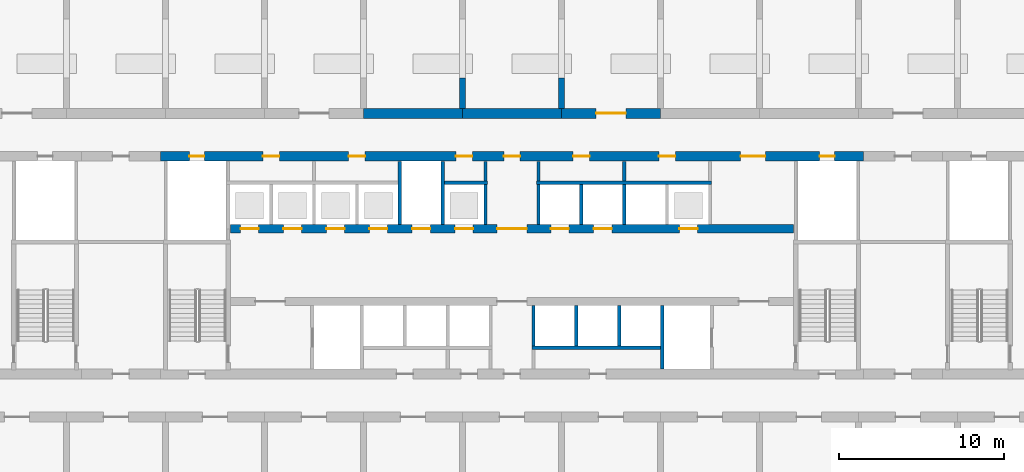
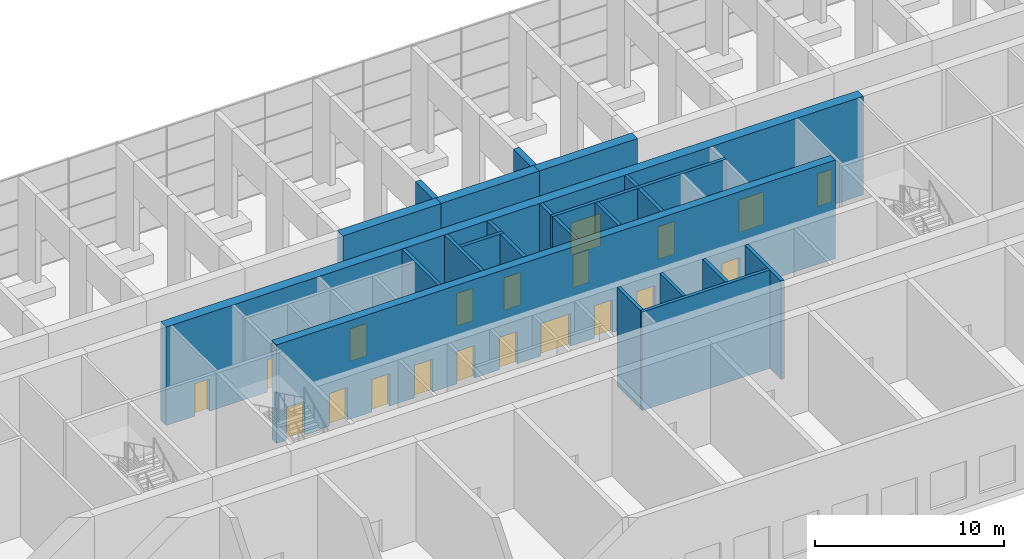
# One storey, part 10 of 16: 23 walls, 20 doors, 20 openings.
"""IFC4 building model written with IfcOpenShell, lengths in metres."""

from ifc_helpers import new_model, si_unit, direction, frame, frame_2d, origin, place, context, subcontext, project, spatial, rectangle, extrude, material, layer, layer_set, type_object, element, fill, save


model = new_model("IFC4")

# Units and contexts
model_context = context("Model", 3, precision=1e-05, world=origin(), true_north=direction((0.0, 1.0)))
body_context = subcontext(model_context, "Body", "Model", "MODEL_VIEW")
ifc_project = project(units=[si_unit("LENGTHUNIT", "METRE"), si_unit("AREAUNIT", "SQUARE_METRE"), si_unit("VOLUMEUNIT", "CUBIC_METRE"), si_unit("PLANEANGLEUNIT", "RADIAN"), si_unit("MASSUNIT", "GRAM", prefix="KILO")], contexts=[model_context])

# Site, building, storey
site_placement = place(None, origin())
site = spatial("IfcSite", under=ifc_project, at=site_placement, CompositionType="ELEMENT")
building_placement = place(site_placement, origin())
building = spatial("IfcBuilding", under=site, at=building_placement, Name="Poui Terraces", CompositionType="ELEMENT")
storey_placement = place(building_placement, frame((0.0, 0.0, 115.800048828125)))
storey = spatial("IfcBuildingStorey", under=building, at=storey_placement, Name="L32", CompositionType="ELEMENT", Elevation=115.800048828125)

# Walls
ifc_material_1 = material(Name="Concrete 65 MPa", Category="concrete")
ifc_layer_1 = layer(ifc_material_1, 0.60009765625)
ifc_layer_set_1 = layer_set([ifc_layer_1], Name="Concrete 65 MPa")
wall_type_1 = type_object("IfcWallType", Name="BELT WALL 600 65MPa", PredefinedType="SHEAR", material=ifc_layer_set_1)
for number, where, z_axis, x_axis, name in (
    (1, (42.0, 30.39990234375, 0.0), (0.0, 0.0, 1.0), (1.0, 0.0, 0.0), "BELT WALL LINE E BAY 6"),
    (2, (48.0, 30.39990234375, 0.0), (0.0, 0.0, 1.0), (1.0, 0.0, 0.0), "BELT WALL LINE E BAY 7"),
):
    element("IfcWall", number, at=place(storey_placement, frame(where, z_axis=z_axis, x_axis=x_axis)), inside=storey, type_object=wall_type_1, Name=name, PredefinedType="SHEAR", context=body_context, shape_type="SweptSolid", body=[
        extrude(rectangle(XDim=6.0, YDim=0.60009765625, at=frame_2d((3.0, 0.0))), origin(), (0.0, 0.0, 1.0), 6.369873046875),
    ])

# Wall, opening, door
wall_1_placement = place(storey_placement, frame((54.0, 30.39990234375, 0.0), z_axis=(0.0, 0.0, 1.0), x_axis=(1.0, 0.0, 0.0)))
wall_1 = element("IfcWall", 3, at=wall_1_placement, inside=storey, type_object=wall_type_1, Name="BELT WALL LINE E BAY 8", PredefinedType="SHEAR", context=body_context, shape_type="SweptSolid", body=[
    extrude(rectangle(XDim=6.0, YDim=0.60009765625, at=frame_2d((3.0, 0.0))), origin(), (0.0, 0.0, 1.0), 6.369873046875),
])
opening_1_placement = place(wall_1_placement, frame((2.10009765625, 0.0, 0.0)))
opening_1 = element("IfcOpeningElement", 4, at=opening_1_placement, cuts=wall_1, Name="Opening DD180", PredefinedType="OPENING", context=body_context, shape_type="SweptSolid", body=[
    extrude(rectangle(XDim=1.800048828125, YDim=2.10009765625, at=frame_2d((0.89990234375, 1.050048828125))), frame((0.0, 0.31005859375, 0.0), z_axis=(0.0, -1.0, 0.0), x_axis=(1.0, 0.0, 0.0)), (0.0, 0.0, 1.0), 0.6201171875),
])
ifc_material_2 = material(Name="Steel fire door", Category="steel")
door_type_1 = type_object("IfcDoorType", Name="DOUBLE INTERNAL DOOR 1800 X 2100", OperationType="DOUBLE_DOOR_SINGLE_SWING", PredefinedType="DOOR", material=ifc_material_2)
door_1_placement = place(opening_1_placement, frame((1.800048828125, 0.0, 0.0), z_axis=(0.0, 0.0, 1.0), x_axis=(-1.0, 0.0, 0.0)))
door_1 = element("IfcDoor", 5, at=door_1_placement, inside=storey, type_object=door_type_1, Name="DOUBLE INTERNAL DOOR 013", OperationType="DOUBLE_DOOR_SINGLE_SWING", OverallHeight=2.10009765625, OverallWidth=1.800048828125, PredefinedType="DOOR", context=body_context, shape_type="SweptSolid", body=[
    extrude(rectangle(XDim=1.800048828125, YDim=2.10009765625, at=frame_2d((0.89990234375, 1.050048828125))), frame((0.0, 0.02490234375, 0.0), z_axis=(0.0, -1.0, 0.0), x_axis=(1.0, 0.0, 0.0)), (0.0, 0.0, 1.0), 0.050048828125),
])
fill(opening_1, door_1)

# Wall, openings, doors
ifc_layer_2 = layer(ifc_material_1, 0.5)
ifc_layer_set_2 = layer_set([ifc_layer_2], Name="Concrete 65 MPa")
wall_type_2 = type_object("IfcWallType", Name="CORE WALL 500 65 MPA", PredefinedType="SOLIDWALL", material=ifc_layer_set_2)
wall_2_placement = place(storey_placement, frame((33.925048828125, 23.39990234375, 0.0), z_axis=(0.0, 0.0, 1.0), x_axis=(1.0, 0.0, 0.0)))
wall_2 = element("IfcWall", 6, at=wall_2_placement, inside=storey, type_object=wall_type_2, Name="CORE WALL", PredefinedType="SOLIDWALL", context=body_context, shape_type="SweptSolid", body=[
    extrude(rectangle(XDim=34.14990234375, YDim=0.5, at=frame_2d((17.074951171875, 0.0))), origin(), (0.0, 0.0, 1.0), 6.369873046875),
])
opening_2_placement = place(wall_2_placement, frame((16.175048828125, 0.0, 0.0)))
opening_2 = element("IfcOpeningElement", 7, at=opening_2_placement, cuts=wall_2, Name="Opening FDD60", PredefinedType="OPENING", context=body_context, shape_type="SweptSolid", body=[
    extrude(rectangle(XDim=1.800048828125, YDim=2.10009765625, at=frame_2d((0.89990234375, 1.050048828125))), frame((0.0, 0.260009765625, 0.0), z_axis=(0.0, -1.0, 0.0), x_axis=(1.0, 0.0, 0.0)), (0.0, 0.0, 1.0), 0.52001953125),
])
opening_3_placement = place(wall_2_placement, frame((0.625, 0.0, 0.0)))
opening_3 = element("IfcOpeningElement", 8, at=opening_3_placement, cuts=wall_2, Name="Opening LD", PredefinedType="OPENING", context=body_context, shape_type="SweptSolid", body=[
    extrude(rectangle(XDim=1.10009765625, YDim=2.10009765625, at=frame_2d((0.550048828125, 1.050048828125))), frame((0.0, 0.260009765625, 0.0), z_axis=(0.0, -1.0, 0.0), x_axis=(1.0, 0.0, 0.0)), (0.0, 0.0, 1.0), 0.52001953125),
])
opening_4_placement = place(wall_2_placement, frame((3.22509765625, 0.0, 0.0)))
opening_4 = element("IfcOpeningElement", 9, at=opening_4_placement, cuts=wall_2, Name="Opening LD", PredefinedType="OPENING", context=body_context, shape_type="SweptSolid", body=[
    extrude(rectangle(XDim=1.10009765625, YDim=2.10009765625, at=frame_2d((0.550048828125, 1.050048828125))), frame((0.0, 0.260009765625, 0.0), z_axis=(0.0, -1.0, 0.0), x_axis=(1.0, 0.0, 0.0)), (0.0, 0.0, 1.0), 0.52001953125),
])
opening_5_placement = place(wall_2_placement, frame((5.824951171875, 0.0, 0.0)))
opening_5 = element("IfcOpeningElement", 10, at=opening_5_placement, cuts=wall_2, Name="Opening LD", PredefinedType="OPENING", context=body_context, shape_type="SweptSolid", body=[
    extrude(rectangle(XDim=1.10009765625, YDim=2.10009765625, at=frame_2d((0.550048828125, 1.050048828125))), frame((0.0, 0.260009765625, 0.0), z_axis=(0.0, -1.0, 0.0), x_axis=(1.0, 0.0, 0.0)), (0.0, 0.0, 1.0), 0.52001953125),
])
opening_6_placement = place(wall_2_placement, frame((8.425048828125, 0.0, 0.0)))
opening_6 = element("IfcOpeningElement", 11, at=opening_6_placement, cuts=wall_2, Name="Opening LD", PredefinedType="OPENING", context=body_context, shape_type="SweptSolid", body=[
    extrude(rectangle(XDim=1.10009765625, YDim=2.10009765625, at=frame_2d((0.550048828125, 1.050048828125))), frame((0.0, 0.260009765625, 0.0), z_axis=(0.0, -1.0, 0.0), x_axis=(1.0, 0.0, 0.0)), (0.0, 0.0, 1.0), 0.52001953125),
])
opening_7_placement = place(wall_2_placement, frame((11.02490234375, 0.0, 0.0)))
opening_7 = element("IfcOpeningElement", 12, at=opening_7_placement, cuts=wall_2, Name="Opening LD", PredefinedType="OPENING", context=body_context, shape_type="SweptSolid", body=[
    extrude(rectangle(XDim=1.10009765625, YDim=2.10009765625, at=frame_2d((0.550048828125, 1.050048828125))), frame((0.0, 0.260009765625, 0.0), z_axis=(0.0, -1.0, 0.0), x_axis=(1.0, 0.0, 0.0)), (0.0, 0.0, 1.0), 0.52001953125),
])
opening_8_placement = place(wall_2_placement, frame((13.625, 0.0, 0.0)))
opening_8 = element("IfcOpeningElement", 13, at=opening_8_placement, cuts=wall_2, Name="Opening LD", PredefinedType="OPENING", context=body_context, shape_type="SweptSolid", body=[
    extrude(rectangle(XDim=1.10009765625, YDim=2.10009765625, at=frame_2d((0.550048828125, 1.050048828125))), frame((0.0, 0.260009765625, 0.0), z_axis=(0.0, -1.0, 0.0), x_axis=(1.0, 0.0, 0.0)), (0.0, 0.0, 1.0), 0.52001953125),
])
opening_9_placement = place(wall_2_placement, frame((19.425048828125, 0.0, 0.0)))
opening_9 = element("IfcOpeningElement", 14, at=opening_9_placement, cuts=wall_2, Name="Opening LD", PredefinedType="OPENING", context=body_context, shape_type="SweptSolid", body=[
    extrude(rectangle(XDim=1.10009765625, YDim=2.10009765625, at=frame_2d((0.550048828125, 1.050048828125))), frame((0.0, 0.260009765625, 0.0), z_axis=(0.0, -1.0, 0.0), x_axis=(1.0, 0.0, 0.0)), (0.0, 0.0, 1.0), 0.52001953125),
])
opening_10_placement = place(wall_2_placement, frame((22.02490234375, 0.0, 0.0)))
opening_10 = element("IfcOpeningElement", 15, at=opening_10_placement, cuts=wall_2, Name="Opening LD", PredefinedType="OPENING", context=body_context, shape_type="SweptSolid", body=[
    extrude(rectangle(XDim=1.10009765625, YDim=2.10009765625, at=frame_2d((0.550048828125, 1.050048828125))), frame((0.0, 0.260009765625, 0.0), z_axis=(0.0, -1.0, 0.0), x_axis=(1.0, 0.0, 0.0)), (0.0, 0.0, 1.0), 0.52001953125),
])
opening_11_placement = place(wall_2_placement, frame((27.22509765625, 0.0, 0.0)))
opening_11 = element("IfcOpeningElement", 16, at=opening_11_placement, cuts=wall_2, Name="Opening LD", PredefinedType="OPENING", context=body_context, shape_type="SweptSolid", body=[
    extrude(rectangle(XDim=1.10009765625, YDim=2.10009765625, at=frame_2d((0.550048828125, 1.050048828125))), frame((0.0, 0.260009765625, 0.0), z_axis=(0.0, -1.0, 0.0), x_axis=(1.0, 0.0, 0.0)), (0.0, 0.0, 1.0), 0.52001953125),
])
door_type_2 = type_object("IfcDoorType", Name="DOUBLE LOBBY FIRE DOOR 1800 X 2100", OperationType="DOUBLE_DOOR_SINGLE_SWING", PredefinedType="DOOR", material=ifc_material_2)
door_2_placement = place(opening_2_placement, origin())
door_2 = element("IfcDoor", 17, at=door_2_placement, inside=storey, type_object=door_type_2, Name="DOUBLE LOBBY FIRE DOOR 049", OperationType="DOUBLE_DOOR_SINGLE_SWING", OverallHeight=2.10009765625, OverallWidth=1.800048828125, PredefinedType="DOOR", context=body_context, shape_type="SweptSolid", body=[
    extrude(rectangle(XDim=1.800048828125, YDim=2.10009765625, at=frame_2d((0.89990234375, 1.050048828125))), frame((0.0, 0.02490234375, 0.0), z_axis=(0.0, -1.0, 0.0), x_axis=(1.0, 0.0, 0.0)), (0.0, 0.0, 1.0), 0.050048828125),
])
fill(opening_2, door_2)
ifc_material_3 = material(Name="Stainless steel sliding door", Category="steel")
door_type_3 = type_object("IfcDoorType", Name="LIFT LANDING DOOR 1100 X 2100", OperationType="DOUBLE_DOOR_SLIDING", PredefinedType="DOOR", material=ifc_material_3)
door_3_placement = place(opening_3_placement, origin())
door_3 = element("IfcDoor", 18, at=door_3_placement, inside=storey, type_object=door_type_3, Name="LANDING DOOR", OperationType="DOUBLE_DOOR_SLIDING", OverallHeight=2.10009765625, OverallWidth=1.10009765625, PredefinedType="DOOR", context=body_context, shape_type="SweptSolid", body=[
    extrude(rectangle(XDim=1.10009765625, YDim=2.10009765625, at=frame_2d((0.550048828125, 1.050048828125))), frame((0.0, 0.02490234375, 0.0), z_axis=(0.0, -1.0, 0.0), x_axis=(1.0, 0.0, 0.0)), (0.0, 0.0, 1.0), 0.050048828125),
])
fill(opening_3, door_3)
door_4_placement = place(opening_4_placement, origin())
door_4 = element("IfcDoor", 19, at=door_4_placement, inside=storey, type_object=door_type_3, Name="LANDING DOOR", OperationType="DOUBLE_DOOR_SLIDING", OverallHeight=2.10009765625, OverallWidth=1.10009765625, PredefinedType="DOOR", context=body_context, shape_type="SweptSolid", body=[
    extrude(rectangle(XDim=1.10009765625, YDim=2.10009765625, at=frame_2d((0.550048828125, 1.050048828125))), frame((0.0, 0.02490234375, 0.0), z_axis=(0.0, -1.0, 0.0), x_axis=(1.0, 0.0, 0.0)), (0.0, 0.0, 1.0), 0.050048828125),
])
fill(opening_4, door_4)
door_5_placement = place(opening_5_placement, origin())
door_5 = element("IfcDoor", 20, at=door_5_placement, inside=storey, type_object=door_type_3, Name="LANDING DOOR", OperationType="DOUBLE_DOOR_SLIDING", OverallHeight=2.10009765625, OverallWidth=1.10009765625, PredefinedType="DOOR", context=body_context, shape_type="SweptSolid", body=[
    extrude(rectangle(XDim=1.10009765625, YDim=2.10009765625, at=frame_2d((0.550048828125, 1.050048828125))), frame((0.0, 0.02490234375, 0.0), z_axis=(0.0, -1.0, 0.0), x_axis=(1.0, 0.0, 0.0)), (0.0, 0.0, 1.0), 0.050048828125),
])
fill(opening_5, door_5)
door_6_placement = place(opening_6_placement, origin())
door_6 = element("IfcDoor", 21, at=door_6_placement, inside=storey, type_object=door_type_3, Name="LANDING DOOR", OperationType="DOUBLE_DOOR_SLIDING", OverallHeight=2.10009765625, OverallWidth=1.10009765625, PredefinedType="DOOR", context=body_context, shape_type="SweptSolid", body=[
    extrude(rectangle(XDim=1.10009765625, YDim=2.10009765625, at=frame_2d((0.550048828125, 1.050048828125))), frame((0.0, 0.02490234375, 0.0), z_axis=(0.0, -1.0, 0.0), x_axis=(1.0, 0.0, 0.0)), (0.0, 0.0, 1.0), 0.050048828125),
])
fill(opening_6, door_6)
door_7_placement = place(opening_7_placement, origin())
door_7 = element("IfcDoor", 22, at=door_7_placement, inside=storey, type_object=door_type_3, Name="LANDING DOOR", OperationType="DOUBLE_DOOR_SLIDING", OverallHeight=2.10009765625, OverallWidth=1.10009765625, PredefinedType="DOOR", context=body_context, shape_type="SweptSolid", body=[
    extrude(rectangle(XDim=1.10009765625, YDim=2.10009765625, at=frame_2d((0.550048828125, 1.050048828125))), frame((0.0, 0.02490234375, 0.0), z_axis=(0.0, -1.0, 0.0), x_axis=(1.0, 0.0, 0.0)), (0.0, 0.0, 1.0), 0.050048828125),
])
fill(opening_7, door_7)
door_8_placement = place(opening_8_placement, origin())
door_8 = element("IfcDoor", 23, at=door_8_placement, inside=storey, type_object=door_type_3, Name="LANDING DOOR", OperationType="DOUBLE_DOOR_SLIDING", OverallHeight=2.10009765625, OverallWidth=1.10009765625, PredefinedType="DOOR", context=body_context, shape_type="SweptSolid", body=[
    extrude(rectangle(XDim=1.10009765625, YDim=2.10009765625, at=frame_2d((0.550048828125, 1.050048828125))), frame((0.0, 0.02490234375, 0.0), z_axis=(0.0, -1.0, 0.0), x_axis=(1.0, 0.0, 0.0)), (0.0, 0.0, 1.0), 0.050048828125),
])
fill(opening_8, door_8)
door_9_placement = place(opening_9_placement, origin())
door_9 = element("IfcDoor", 24, at=door_9_placement, inside=storey, type_object=door_type_3, Name="LANDING DOOR", OperationType="DOUBLE_DOOR_SLIDING", OverallHeight=2.10009765625, OverallWidth=1.10009765625, PredefinedType="DOOR", context=body_context, shape_type="SweptSolid", body=[
    extrude(rectangle(XDim=1.10009765625, YDim=2.10009765625, at=frame_2d((0.550048828125, 1.050048828125))), frame((0.0, 0.02490234375, 0.0), z_axis=(0.0, -1.0, 0.0), x_axis=(1.0, 0.0, 0.0)), (0.0, 0.0, 1.0), 0.050048828125),
])
fill(opening_9, door_9)
door_10_placement = place(opening_10_placement, origin())
door_10 = element("IfcDoor", 25, at=door_10_placement, inside=storey, type_object=door_type_3, Name="LANDING DOOR", OperationType="DOUBLE_DOOR_SLIDING", OverallHeight=2.10009765625, OverallWidth=1.10009765625, PredefinedType="DOOR", context=body_context, shape_type="SweptSolid", body=[
    extrude(rectangle(XDim=1.10009765625, YDim=2.10009765625, at=frame_2d((0.550048828125, 1.050048828125))), frame((0.0, 0.02490234375, 0.0), z_axis=(0.0, -1.0, 0.0), x_axis=(1.0, 0.0, 0.0)), (0.0, 0.0, 1.0), 0.050048828125),
])
fill(opening_10, door_10)
door_11_placement = place(opening_11_placement, origin())
door_11 = element("IfcDoor", 26, at=door_11_placement, inside=storey, type_object=door_type_3, Name="LANDING DOOR", OperationType="DOUBLE_DOOR_SLIDING", OverallHeight=2.10009765625, OverallWidth=1.10009765625, PredefinedType="DOOR", context=body_context, shape_type="SweptSolid", body=[
    extrude(rectangle(XDim=1.10009765625, YDim=2.10009765625, at=frame_2d((0.550048828125, 1.050048828125))), frame((0.0, 0.02490234375, 0.0), z_axis=(0.0, -1.0, 0.0), x_axis=(1.0, 0.0, 0.0)), (0.0, 0.0, 1.0), 0.050048828125),
])
fill(opening_11, door_11)

# Walls
ifc_layer_3 = layer(ifc_material_1, 0.35009765625)
ifc_layer_set_3 = layer_set([ifc_layer_3], Name="Concrete 65 MPa")
wall_type_3 = type_object("IfcWallType", Name="PIERCED CROSS WALL 350 65MPa", PredefinedType="SHEAR", material=ifc_layer_set_3)
for number, where, z_axis, x_axis, name in (
    (27, (48.0, 30.699951171875, 0.0), (0.0, 0.0, 1.0), (0.0, 1.0, 0.0), "PIER LINE 9 1"),
    (28, (54.0, 30.699951171875, 0.0), (0.0, 0.0, 1.0), (0.0, 1.0, 0.0), "PIER LINE 10 1"),
):
    element("IfcWall", number, at=place(storey_placement, frame(where, z_axis=z_axis, x_axis=x_axis)), inside=storey, type_object=wall_type_3, Name=name, PredefinedType="SHEAR", context=body_context, shape_type="SweptSolid", body=[
        extrude(rectangle(XDim=1.833251953125, YDim=0.35009765625, at=frame_2d((0.91650390625, 0.0))), origin(), (0.0, 0.0, 1.0), 6.369873046875),
    ])
ifc_material_4 = material(Name="Fire-rated masonry wall", Category="masonry")
ifc_layer_4 = layer(ifc_material_4, 0.199951171875)
ifc_layer_set_4 = layer_set([ifc_layer_4], Name="Fire-rated masonry wall")
wall_type_4 = type_object("IfcWallType", Name="PLANT ROOM WALL 200", PredefinedType="PARTITIONING", material=ifc_layer_set_4)
for number, where, z_axis, x_axis, name in (
    (29, (49.39990234375, 26.300048828125, 0.0), (0.0, 0.0, 1.0), (0.0, 1.0, 0.0), "PLANT ROOM WALL 200"),
    (30, (52.60009765625, 26.300048828125, 0.0), (0.0, 0.0, 1.0), (0.0, 1.0, 0.0), "PLANT ROOM WALL 200"),
    (31, (57.800048828125, 26.300048828125, 0.0), (0.0, 0.0, 1.0), (0.0, 1.0, 0.0), "PLANT ROOM WALL 200"),
):
    element("IfcWall", number, at=place(storey_placement, frame(where, z_axis=z_axis, x_axis=x_axis)), inside=storey, type_object=wall_type_4, Name=name, PredefinedType="PARTITIONING", context=body_context, shape_type="SweptSolid", body=[
        extrude(rectangle(XDim=1.18994140625, YDim=0.199951171875, at=frame_2d((0.594970703125, 0.0))), origin(), (0.0, 0.0, 1.0), 6.369873046875),
    ])
ifc_material_5 = material(Name="Fire-rated masonry shaft wall", Category="masonry")
ifc_layer_5 = layer(ifc_material_5, 0.199951171875)
ifc_layer_set_5 = layer_set([ifc_layer_5], Name="Fire-rated masonry shaft wall")
wall_type_5 = type_object("IfcWallType", Name="SHAFT WALL 200", PredefinedType="PARTITIONING", material=ifc_layer_set_5)
wall_3_placement = place(storey_placement, frame((52.199951171875, 16.199951171875, 0.0), z_axis=(0.0, 0.0, 1.0), x_axis=(1.0, 0.0, 0.0)))
element("IfcWall", 32, at=wall_3_placement, inside=storey, type_object=wall_type_5, Name="SHAFT WALL 200", PredefinedType="PARTITIONING", context=body_context, shape_type="SweptSolid", body=[
    extrude(rectangle(XDim=7.800048828125, YDim=0.199951171875, at=frame_2d((3.89990234375, 0.0))), origin(), (0.0, 0.0, 1.0), 6.369873046875),
])
wall_4_placement = place(storey_placement, frame((46.89990234375, 26.199951171875, 0.0), z_axis=(0.0, 0.0, 1.0), x_axis=(1.0, 0.0, 0.0)))
element("IfcWall", 33, at=wall_4_placement, inside=storey, type_object=wall_type_5, Name="SHAFT WALL 200", PredefinedType="PARTITIONING", context=body_context, shape_type="SweptSolid", body=[
    extrude(rectangle(XDim=2.60009765625, YDim=0.199951171875, at=frame_2d((1.300048828125, 0.0))), origin(), (0.0, 0.0, 1.0), 6.369873046875),
])
wall_5_placement = place(storey_placement, frame((52.5, 26.199951171875, 0.0), z_axis=(0.0, 0.0, 1.0), x_axis=(1.0, 0.0, 0.0)))
element("IfcWall", 34, at=wall_5_placement, inside=storey, type_object=wall_type_5, Name="SHAFT WALL 200", PredefinedType="PARTITIONING", context=body_context, shape_type="SweptSolid", body=[
    extrude(rectangle(XDim=10.60009765625, YDim=0.199951171875, at=frame_2d((5.300048828125, 0.0))), origin(), (0.0, 0.0, 1.0), 6.369873046875),
])
for number, where, z_axis, x_axis, name in (
    (35, (44.199951171875, 23.659912109375, 0.0), (0.0, 0.0, 1.0), (0.0, 1.0, 0.0), "SHAFT WALL 200"),
    (36, (46.800048828125, 23.659912109375, 0.0), (0.0, 0.0, 1.0), (0.0, 1.0, 0.0), "SHAFT WALL 200"),
):
    element("IfcWall", number, at=place(storey_placement, frame(where, z_axis=z_axis, x_axis=x_axis)), inside=storey, type_object=wall_type_5, Name=name, PredefinedType="PARTITIONING", context=body_context, shape_type="SweptSolid", body=[
        extrude(rectangle(XDim=3.830078125, YDim=0.199951171875, at=frame_2d((1.9150390625, 0.0))), origin(), (0.0, 0.0, 1.0), 6.369873046875),
    ])
wall_6_placement = place(storey_placement, frame((49.39990234375, 23.659912109375, 0.0), z_axis=(0.0, 0.0, 1.0), x_axis=(0.0, 1.0, 0.0)))
element("IfcWall", 37, at=wall_6_placement, inside=storey, type_object=wall_type_5, Name="SHAFT WALL 200", PredefinedType="PARTITIONING", context=body_context, shape_type="SweptSolid", body=[
    extrude(rectangle(XDim=2.440185546875, YDim=0.199951171875, at=frame_2d((1.22021484375, 0.0))), origin(), (0.0, 0.0, 1.0), 6.369873046875),
])
wall_7_placement = place(storey_placement, frame((52.300048828125, 16.300048828125, 0.0), z_axis=(0.0, 0.0, 1.0), x_axis=(0.0, 1.0, 0.0)))
element("IfcWall", 38, at=wall_7_placement, inside=storey, type_object=wall_type_5, Name="SHAFT WALL 200", PredefinedType="PARTITIONING", context=body_context, shape_type="SweptSolid", body=[
    extrude(rectangle(XDim=2.43994140625, YDim=0.199951171875, at=frame_2d((1.219970703125, 0.0))), origin(), (0.0, 0.0, 1.0), 6.369873046875),
])
wall_8_placement = place(storey_placement, frame((52.60009765625, 23.659912109375, 0.0), z_axis=(0.0, 0.0, 1.0), x_axis=(0.0, 1.0, 0.0)))
element("IfcWall", 39, at=wall_8_placement, inside=storey, type_object=wall_type_5, Name="SHAFT WALL 200", PredefinedType="PARTITIONING", context=body_context, shape_type="SweptSolid", body=[
    extrude(rectangle(XDim=2.440185546875, YDim=0.199951171875, at=frame_2d((1.22021484375, 0.0))), origin(), (0.0, 0.0, 1.0), 6.369873046875),
])
wall_9_placement = place(storey_placement, frame((54.89990234375, 16.300048828125, 0.0), z_axis=(0.0, 0.0, 1.0), x_axis=(0.0, 1.0, 0.0)))
element("IfcWall", 40, at=wall_9_placement, inside=storey, type_object=wall_type_5, Name="SHAFT WALL 200", PredefinedType="PARTITIONING", context=body_context, shape_type="SweptSolid", body=[
    extrude(rectangle(XDim=2.43994140625, YDim=0.199951171875, at=frame_2d((1.219970703125, 0.0))), origin(), (0.0, 0.0, 1.0), 6.369873046875),
])
wall_10_placement = place(storey_placement, frame((55.199951171875, 23.659912109375, 0.0), z_axis=(0.0, 0.0, 1.0), x_axis=(0.0, 1.0, 0.0)))
element("IfcWall", 41, at=wall_10_placement, inside=storey, type_object=wall_type_5, Name="SHAFT WALL 200", PredefinedType="PARTITIONING", context=body_context, shape_type="SweptSolid", body=[
    extrude(rectangle(XDim=2.440185546875, YDim=0.199951171875, at=frame_2d((1.22021484375, 0.0))), origin(), (0.0, 0.0, 1.0), 6.369873046875),
])
wall_11_placement = place(storey_placement, frame((57.5, 16.300048828125, 0.0), z_axis=(0.0, 0.0, 1.0), x_axis=(0.0, 1.0, 0.0)))
element("IfcWall", 42, at=wall_11_placement, inside=storey, type_object=wall_type_5, Name="SHAFT WALL 200", PredefinedType="PARTITIONING", context=body_context, shape_type="SweptSolid", body=[
    extrude(rectangle(XDim=2.43994140625, YDim=0.199951171875, at=frame_2d((1.219970703125, 0.0))), origin(), (0.0, 0.0, 1.0), 6.369873046875),
])
wall_12_placement = place(storey_placement, frame((57.800048828125, 23.659912109375, 0.0), z_axis=(0.0, 0.0, 1.0), x_axis=(0.0, 1.0, 0.0)))
element("IfcWall", 43, at=wall_12_placement, inside=storey, type_object=wall_type_5, Name="SHAFT WALL 200", PredefinedType="PARTITIONING", context=body_context, shape_type="SweptSolid", body=[
    extrude(rectangle(XDim=2.440185546875, YDim=0.199951171875, at=frame_2d((1.22021484375, 0.0))), origin(), (0.0, 0.0, 1.0), 6.369873046875),
])
wall_13_placement = place(storey_placement, frame((60.10009765625, 14.909912109375, 0.0), z_axis=(0.0, 0.0, 1.0), x_axis=(0.0, 1.0, 0.0)))
element("IfcWall", 44, at=wall_13_placement, inside=storey, type_object=wall_type_5, Name="SHAFT WALL 200", PredefinedType="PARTITIONING", context=body_context, shape_type="SweptSolid", body=[
    extrude(rectangle(XDim=3.830078125, YDim=0.199951171875, at=frame_2d((1.9150390625, 0.0))), origin(), (0.0, 0.0, 1.0), 6.369873046875),
])

# Wall, openings, doors
ifc_layer_6 = layer(ifc_material_1, 0.60009765625)
ifc_layer_set_6 = layer_set([ifc_layer_6], Name="Concrete 65 MPa")
wall_type_6 = type_object("IfcWallType", Name="SPINE WALL 600 65 MPA", PredefinedType="SOLIDWALL", material=ifc_layer_set_6)
wall_14_placement = place(storey_placement, frame((29.699951171875, 27.800048828125, 0.0), z_axis=(0.0, 0.0, 1.0), x_axis=(1.0, 0.0, 0.0)))
wall_14 = element("IfcWall", 45, at=wall_14_placement, inside=storey, type_object=wall_type_6, Name="SPINE WALL", PredefinedType="SOLIDWALL", context=body_context, shape_type="SweptSolid", body=[
    extrude(rectangle(XDim=42.60009765625, YDim=0.60009765625, at=frame_2d((21.300048828125, 0.0))), origin(), (0.0, 0.0, 1.0), 6.369873046875),
])
opening_12_placement = place(wall_14_placement, frame((1.75, 0.0, 0.0)))
opening_12 = element("IfcOpeningElement", 46, at=opening_12_placement, cuts=wall_14, Name="Opening FDR", PredefinedType="OPENING", context=body_context, shape_type="SweptSolid", body=[
    extrude(rectangle(XDim=0.89990234375, YDim=2.10009765625, at=frame_2d((0.449951171875, 1.050048828125))), frame((0.0, 0.31005859375, 0.0), z_axis=(0.0, -1.0, 0.0), x_axis=(1.0, 0.0, 0.0)), (0.0, 0.0, 1.0), 0.6201171875),
])
opening_13_placement = place(wall_14_placement, frame((6.199951171875, 0.0, 0.0)))
opening_13 = element("IfcOpeningElement", 47, at=opening_13_placement, cuts=wall_14, Name="Opening FD60", PredefinedType="OPENING", context=body_context, shape_type="SweptSolid", body=[
    extrude(rectangle(XDim=1.0, YDim=2.10009765625, at=frame_2d((0.5, 1.050048828125))), frame((0.0, 0.31005859375, 0.0), z_axis=(0.0, -1.0, 0.0), x_axis=(1.0, 0.0, 0.0)), (0.0, 0.0, 1.0), 0.6201171875),
])
opening_14_placement = place(wall_14_placement, frame((11.39990234375, 0.0, 0.0)))
opening_14 = element("IfcOpeningElement", 48, at=opening_14_placement, cuts=wall_14, Name="Opening FD60", PredefinedType="OPENING", context=body_context, shape_type="SweptSolid", body=[
    extrude(rectangle(XDim=1.0, YDim=2.10009765625, at=frame_2d((0.5, 1.050048828125))), frame((0.0, 0.31005859375, 0.0), z_axis=(0.0, -1.0, 0.0), x_axis=(1.0, 0.0, 0.0)), (0.0, 0.0, 1.0), 0.6201171875),
])
opening_15_placement = place(wall_14_placement, frame((17.89990234375, 0.0, 0.0)))
opening_15 = element("IfcOpeningElement", 49, at=opening_15_placement, cuts=wall_14, Name="Opening FD60", PredefinedType="OPENING", context=body_context, shape_type="SweptSolid", body=[
    extrude(rectangle(XDim=1.0, YDim=2.10009765625, at=frame_2d((0.5, 1.050048828125))), frame((0.0, 0.31005859375, 0.0), z_axis=(0.0, -1.0, 0.0), x_axis=(1.0, 0.0, 0.0)), (0.0, 0.0, 1.0), 0.6201171875),
])
opening_16_placement = place(wall_14_placement, frame((20.800048828125, 0.0, 0.0)))
opening_16 = element("IfcOpeningElement", 50, at=opening_16_placement, cuts=wall_14, Name="Opening FDL", PredefinedType="OPENING", context=body_context, shape_type="SweptSolid", body=[
    extrude(rectangle(XDim=1.0, YDim=2.10009765625, at=frame_2d((0.5, 1.050048828125))), frame((0.0, 0.31005859375, 0.0), z_axis=(0.0, -1.0, 0.0), x_axis=(1.0, 0.0, 0.0)), (0.0, 0.0, 1.0), 0.6201171875),
])
opening_17_placement = place(wall_14_placement, frame((25.0, 0.0, 0.0)))
opening_17 = element("IfcOpeningElement", 51, at=opening_17_placement, cuts=wall_14, Name="Opening FD60", PredefinedType="OPENING", context=body_context, shape_type="SweptSolid", body=[
    extrude(rectangle(XDim=1.0, YDim=2.10009765625, at=frame_2d((0.5, 1.050048828125))), frame((0.0, 0.31005859375, 0.0), z_axis=(0.0, -1.0, 0.0), x_axis=(1.0, 0.0, 0.0)), (0.0, 0.0, 1.0), 0.6201171875),
])
opening_18_placement = place(wall_14_placement, frame((30.199951171875, 0.0, 0.0)))
opening_18 = element("IfcOpeningElement", 52, at=opening_18_placement, cuts=wall_14, Name="Opening FD60", PredefinedType="OPENING", context=body_context, shape_type="SweptSolid", body=[
    extrude(rectangle(XDim=1.0, YDim=2.10009765625, at=frame_2d((0.5, 1.050048828125))), frame((0.0, 0.31005859375, 0.0), z_axis=(0.0, -1.0, 0.0), x_axis=(1.0, 0.0, 0.0)), (0.0, 0.0, 1.0), 0.6201171875),
])
opening_19_placement = place(wall_14_placement, frame((35.14990234375, 0.0, 0.0)))
opening_19 = element("IfcOpeningElement", 53, at=opening_19_placement, cuts=wall_14, Name="Opening FDP", PredefinedType="OPENING", context=body_context, shape_type="SweptSolid", body=[
    extrude(rectangle(XDim=1.5, YDim=2.10009765625, at=frame_2d((0.75, 1.050048828125))), frame((0.0, 0.31005859375, 0.0), z_axis=(0.0, -1.0, 0.0), x_axis=(1.0, 0.0, 0.0)), (0.0, 0.0, 1.0), 0.6201171875),
])
opening_20_placement = place(wall_14_placement, frame((39.949951171875, 0.0, 0.0)))
opening_20 = element("IfcOpeningElement", 54, at=opening_20_placement, cuts=wall_14, Name="Opening FDR", PredefinedType="OPENING", context=body_context, shape_type="SweptSolid", body=[
    extrude(rectangle(XDim=0.89990234375, YDim=2.10009765625, at=frame_2d((0.449951171875, 1.050048828125))), frame((0.0, 0.31005859375, 0.0), z_axis=(0.0, -1.0, 0.0), x_axis=(1.0, 0.0, 0.0)), (0.0, 0.0, 1.0), 0.6201171875),
])
door_type_4 = type_object("IfcDoorType", Name="LOBBY FIRE DOOR 1000 X 2100", OperationType="NOTDEFINED", PredefinedType="DOOR", material=ifc_material_2)
door_12_placement = place(opening_16_placement, origin())
door_12 = element("IfcDoor", 55, at=door_12_placement, inside=storey, type_object=door_type_4, Name="LOBBY FIRE DOOR 011", OperationType="SINGLE_SWING_RIGHT", OverallHeight=2.10009765625, OverallWidth=1.0, PredefinedType="DOOR", context=body_context, shape_type="SweptSolid", body=[
    extrude(rectangle(XDim=1.0, YDim=2.10009765625, at=frame_2d((0.5, 1.050048828125))), frame((0.0, 0.02490234375, 0.0), z_axis=(0.0, -1.0, 0.0), x_axis=(1.0, 0.0, 0.0)), (0.0, 0.0, 1.0), 0.050048828125),
])
fill(opening_16, door_12)
door_type_5 = type_object("IfcDoorType", Name="PLANT ROOM DOOR PAIR 1500 X 2100", OperationType="DOUBLE_DOOR_SINGLE_SWING", PredefinedType="DOOR", material=ifc_material_2)
door_13_placement = place(opening_19_placement, origin())
door_13 = element("IfcDoor", 56, at=door_13_placement, inside=storey, type_object=door_type_5, Name="PLANT ROOM DOOR PAIR 015", OperationType="DOUBLE_DOOR_SINGLE_SWING", OverallHeight=2.10009765625, OverallWidth=1.5, PredefinedType="DOOR", context=body_context, shape_type="SweptSolid", body=[
    extrude(rectangle(XDim=1.5, YDim=2.10009765625, at=frame_2d((0.75, 1.050048828125))), frame((0.0, 0.02490234375, 0.0), z_axis=(0.0, -1.0, 0.0), x_axis=(1.0, 0.0, 0.0)), (0.0, 0.0, 1.0), 0.050048828125),
])
fill(opening_19, door_13)
door_type_6 = type_object("IfcDoorType", Name="RISER CUPBOARD DOOR 900 X 2100", OperationType="NOTDEFINED", PredefinedType="DOOR", material=ifc_material_2)
door_14_placement = place(opening_12_placement, origin())
door_14 = element("IfcDoor", 57, at=door_14_placement, inside=storey, type_object=door_type_6, Name="RISER CUPBOARD DOOR 006", OperationType="SINGLE_SWING_LEFT", OverallHeight=2.10009765625, OverallWidth=0.89990234375, PredefinedType="DOOR", context=body_context, shape_type="SweptSolid", body=[
    extrude(rectangle(XDim=0.89990234375, YDim=2.10009765625, at=frame_2d((0.449951171875, 1.050048828125))), frame((0.0, 0.02490234375, 0.0), z_axis=(0.0, -1.0, 0.0), x_axis=(1.0, 0.0, 0.0)), (0.0, 0.0, 1.0), 0.050048828125),
])
fill(opening_12, door_14)
door_15_placement = place(opening_20_placement, origin())
door_15 = element("IfcDoor", 58, at=door_15_placement, inside=storey, type_object=door_type_6, Name="RISER CUPBOARD DOOR 016", OperationType="SINGLE_SWING_RIGHT", OverallHeight=2.10009765625, OverallWidth=0.89990234375, PredefinedType="DOOR", context=body_context, shape_type="SweptSolid", body=[
    extrude(rectangle(XDim=0.89990234375, YDim=2.10009765625, at=frame_2d((0.449951171875, 1.050048828125))), frame((0.0, 0.02490234375, 0.0), z_axis=(0.0, -1.0, 0.0), x_axis=(1.0, 0.0, 0.0)), (0.0, 0.0, 1.0), 0.050048828125),
])
fill(opening_20, door_15)
door_type_7 = type_object("IfcDoorType", Name="SERVICE ROOM FIRE DOOR 1000 X 2100", OperationType="NOTDEFINED", PredefinedType="DOOR", material=ifc_material_2)
door_16_placement = place(opening_13_placement, origin())
door_16 = element("IfcDoor", 59, at=door_16_placement, inside=storey, type_object=door_type_7, Name="SERVICE ROOM FIRE DOOR 007", OperationType="SINGLE_SWING_RIGHT", OverallHeight=2.10009765625, OverallWidth=1.0, PredefinedType="DOOR", context=body_context, shape_type="SweptSolid", body=[
    extrude(rectangle(XDim=1.0, YDim=2.10009765625, at=frame_2d((0.5, 1.050048828125))), frame((0.0, 0.02490234375, 0.0), z_axis=(0.0, -1.0, 0.0), x_axis=(1.0, 0.0, 0.0)), (0.0, 0.0, 1.0), 0.050048828125),
])
fill(opening_13, door_16)
door_17_placement = place(opening_14_placement, origin())
door_17 = element("IfcDoor", 60, at=door_17_placement, inside=storey, type_object=door_type_7, Name="SERVICE ROOM FIRE DOOR 009", OperationType="SINGLE_SWING_LEFT", OverallHeight=2.10009765625, OverallWidth=1.0, PredefinedType="DOOR", context=body_context, shape_type="SweptSolid", body=[
    extrude(rectangle(XDim=1.0, YDim=2.10009765625, at=frame_2d((0.5, 1.050048828125))), frame((0.0, 0.02490234375, 0.0), z_axis=(0.0, -1.0, 0.0), x_axis=(1.0, 0.0, 0.0)), (0.0, 0.0, 1.0), 0.050048828125),
])
fill(opening_14, door_17)
door_18_placement = place(opening_15_placement, origin())
door_18 = element("IfcDoor", 61, at=door_18_placement, inside=storey, type_object=door_type_7, Name="SERVICE ROOM FIRE DOOR 010", OperationType="SINGLE_SWING_RIGHT", OverallHeight=2.10009765625, OverallWidth=1.0, PredefinedType="DOOR", context=body_context, shape_type="SweptSolid", body=[
    extrude(rectangle(XDim=1.0, YDim=2.10009765625, at=frame_2d((0.5, 1.050048828125))), frame((0.0, 0.02490234375, 0.0), z_axis=(0.0, -1.0, 0.0), x_axis=(1.0, 0.0, 0.0)), (0.0, 0.0, 1.0), 0.050048828125),
])
fill(opening_15, door_18)
door_19_placement = place(opening_17_placement, origin())
door_19 = element("IfcDoor", 62, at=door_19_placement, inside=storey, type_object=door_type_7, Name="SERVICE ROOM FIRE DOOR 012", OperationType="SINGLE_SWING_LEFT", OverallHeight=2.10009765625, OverallWidth=1.0, PredefinedType="DOOR", context=body_context, shape_type="SweptSolid", body=[
    extrude(rectangle(XDim=1.0, YDim=2.10009765625, at=frame_2d((0.5, 1.050048828125))), frame((0.0, 0.02490234375, 0.0), z_axis=(0.0, -1.0, 0.0), x_axis=(1.0, 0.0, 0.0)), (0.0, 0.0, 1.0), 0.050048828125),
])
fill(opening_17, door_19)
door_20_placement = place(opening_18_placement, origin())
door_20 = element("IfcDoor", 63, at=door_20_placement, inside=storey, type_object=door_type_7, Name="SERVICE ROOM FIRE DOOR 014", OperationType="SINGLE_SWING_RIGHT", OverallHeight=2.10009765625, OverallWidth=1.0, PredefinedType="DOOR", context=body_context, shape_type="SweptSolid", body=[
    extrude(rectangle(XDim=1.0, YDim=2.10009765625, at=frame_2d((0.5, 1.050048828125))), frame((0.0, 0.02490234375, 0.0), z_axis=(0.0, -1.0, 0.0), x_axis=(1.0, 0.0, 0.0)), (0.0, 0.0, 1.0), 0.050048828125),
])
fill(opening_18, door_20)

save(model, "model.ifc")
